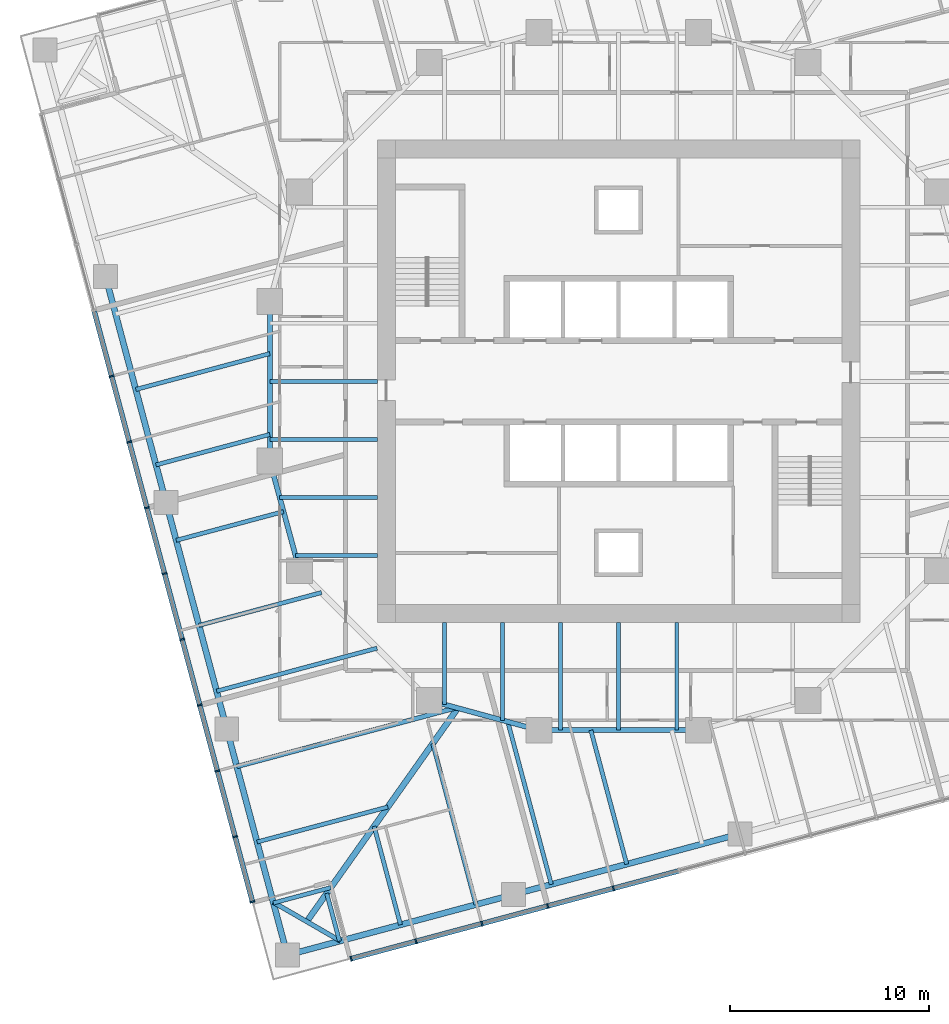
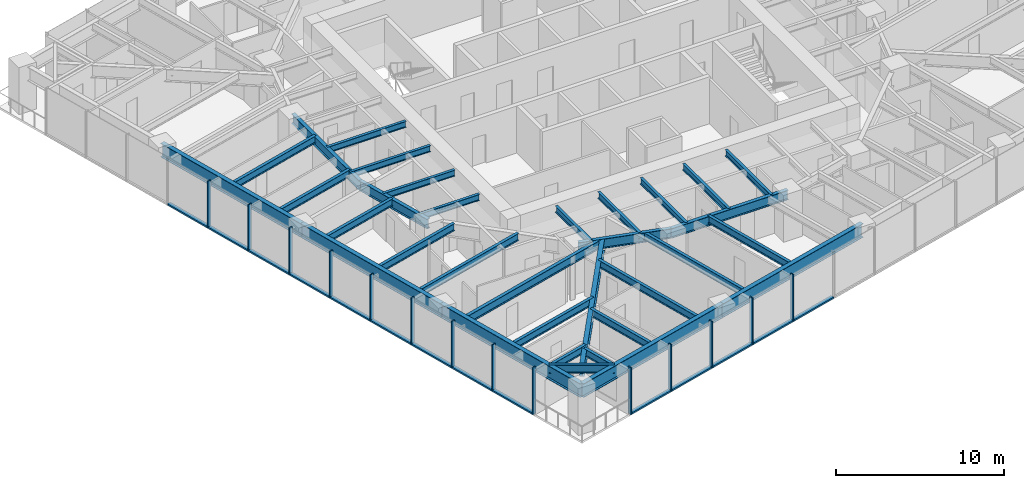
# One storey, part 2 of 14: 33 beams, 28 members, 2 elements without a shape of their own.
"""IFC4 building model written with IfcOpenShell, lengths in metres."""

from ifc_helpers import new_model, si_unit, direction, frame, origin, origin_2d, place, context, subcontext, project, spatial, rectangle, i_section, extrude, material, material_profile, profile_set, type_object, element, aggregate, save


model = new_model("IFC4")

# Units and contexts
model_context = context("Model", 3, precision=1e-05, world=origin(), true_north=direction((0.0, 1.0)))
body_context = subcontext(model_context, "Body", "Model", "MODEL_VIEW")
ifc_project = project(units=[si_unit("LENGTHUNIT", "METRE"), si_unit("AREAUNIT", "SQUARE_METRE"), si_unit("VOLUMEUNIT", "CUBIC_METRE"), si_unit("PLANEANGLEUNIT", "RADIAN"), si_unit("MASSUNIT", "GRAM", prefix="KILO")], contexts=[model_context])

# Site, building, storey
site_placement = place(None, origin())
site = spatial("IfcSite", under=ifc_project, at=site_placement, CompositionType="ELEMENT")
building_placement = place(site_placement, origin())
building = spatial("IfcBuilding", under=site, at=building_placement, Name="Torsade Residences", CompositionType="ELEMENT")
storey_placement = place(building_placement, frame((0.0, 0.0, 111.60009765625)))
storey = spatial("IfcBuildingStorey", under=building, at=storey_placement, Name="L30", CompositionType="ELEMENT", Elevation=111.60009765625)

# Beams
ifc_material_1 = material(Name="Steel grade 300", Category="steel")
ifc_material_profile_1 = material_profile(ifc_material_1, i_section(OverallWidth=0.300048828125, OverallDepth=0.89990234375, WebThickness=0.011962890625, FlangeThickness=0.02490234375, at=origin_2d()), Name="900WB175")
ifc_profile_set_1 = profile_set([ifc_material_profile_1], Name="Steel grade 300")
beam_type_1 = type_object("IfcBeamType", Name="CORNER GIRDER 900WB175", PredefinedType="BEAM", material=ifc_profile_set_1)
beam_1_placement = place(storey_placement, frame((24.355224609375, 2.902587890625, 2.7998046875), z_axis=(0.577683167004, 0.816261084801, 0.0), x_axis=(-0.816261084801, 0.577683167004, 0.0)))
element("IfcBeam", 1, at=beam_1_placement, inside=storey, type_object=beam_type_1, Name="Corner girder 01 L31", PredefinedType="BEAM", context=body_context, shape_type="SweptSolid", body=[
    extrude(i_section(OverallWidth=0.300048828125, OverallDepth=0.89990234375, WebThickness=0.011962890625, FlangeThickness=0.02490234375, at=origin_2d()), origin(), (0.0, 0.0, 1.0), 13.116943359375),
])
ifc_material_2 = material(Name="Steel grade 300", Category="steel")
ifc_material_profile_2 = material_profile(ifc_material_2, i_section(OverallWidth=0.22802734375, OverallDepth=0.60205078125, WebThickness=0.010498046875, FlangeThickness=0.014892578125, FilletRadius=0.013916015625, at=origin_2d()), Name="610UB101")
ifc_profile_set_2 = profile_set([ifc_material_profile_2], Name="Steel grade 300")
beam_type_2 = type_object("IfcBeamType", Name="CORNER TRIMMER 610UB101", PredefinedType="BEAM", material=ifc_profile_set_2)
beam_2_placement = place(storey_placement, frame((26.039306640625, 1.93017578125, 2.948974609375), z_axis=(-0.866028782848, 0.499994147244, 0.0), x_axis=(-0.499994147244, -0.866028782848, 0.0)))
element("IfcBeam", 2, at=beam_2_placement, inside=storey, type_object=beam_type_2, Name="Corner trimmer 01 L31", PredefinedType="BEAM", context=body_context, shape_type="SweptSolid", body=[
    extrude(i_section(OverallWidth=0.22802734375, OverallDepth=0.60205078125, WebThickness=0.010498046875, FlangeThickness=0.014892578125, FilletRadius=0.013916015625, at=origin_2d()), origin(), (0.0, 0.0, 1.0), 3.88916015625),
])
ifc_material_3 = material(Name="Steel grade 300", Category="steel")
ifc_material_profile_3 = material_profile(ifc_material_3, i_section(OverallWidth=0.300048828125, OverallDepth=1.0, WebThickness=0.01611328125, FlangeThickness=0.028076171875, at=origin_2d()), Name="1000WB215")
ifc_profile_set_3 = profile_set([ifc_material_profile_3], Name="Steel grade 300")
beam_type_3 = type_object("IfcBeamType", Name="EDGE BEAM 1000WB215", PredefinedType="SPANDREL", material=ifc_profile_set_3)
for number, where, z_axis, x_axis, name in (
    (3, (23.383056640625, 1.218505859375, 2.75), (0.965928018634, 0.258810863021, 0.0), (-0.258810863021, 0.965928018634, 0.0), "Edge beam 01 L31"),
    (4, (34.732666015625, 4.259521484375, 2.75), (0.965922824118, 0.258830249097, 0.0), (-0.258830249097, 0.965922824118, 0.0), "Edge beam 02 L31"),
    (5, (14.259521484375, 35.267333984375, 2.75), (0.258830249097, -0.965922824118, 0.0), (0.965922824118, 0.258830249097, 0.0), "Edge beam 14 L31"),
    (6, (17.30078125, 23.917724609375, 2.75), (0.258810863021, -0.965928018634, 0.0), (0.965928018634, 0.258810863021, 0.0), "Edge beam 15 L31"),
    (7, (20.341796875, 12.568115234375, 2.75), (0.258830249097, -0.965922824118, 0.0), (0.965922824118, 0.258830249097, 0.0), "Edge beam 16 L31"),
):
    element("IfcBeam", number, at=place(storey_placement, frame(where, z_axis=z_axis, x_axis=x_axis)), inside=storey, type_object=beam_type_3, Name=name, PredefinedType="SPANDREL", context=body_context, shape_type="SweptSolid", body=[
        extrude(i_section(OverallWidth=0.300048828125, OverallDepth=1.0, WebThickness=0.01611328125, FlangeThickness=0.028076171875, at=origin_2d()), origin(), (0.0, 0.0, 1.0), 11.75),
    ])
ifc_material_4 = material(Name="Steel grade 300", Category="steel")
ifc_material_profile_4 = material_profile(ifc_material_4, i_section(OverallWidth=0.18994140625, OverallDepth=0.4541015625, WebThickness=0.008544921875, FlangeThickness=0.0126953125, FilletRadius=0.011474609375, at=origin_2d()), Name="460UB67.1")
ifc_profile_set_4 = profile_set([ifc_material_profile_4], Name="Steel grade 300")
beam_type_4 = type_object("IfcBeamType", Name="INNER FLOOR BEAM 460UB67.1", PredefinedType="JOIST", material=ifc_profile_set_4)
for number, where, z_axis, x_axis, name in (
    (8, (42.91259765625, 17.89990234375, 3.02294921875), (0.0, -1.0, 0.0), (1.0, 0.0, 0.0), "Inner floor beam IS03 L31"),
    (9, (40.0, 17.89990234375, 3.02294921875), (0.0, -1.0, 0.0), (1.0, 0.0, 0.0), "Inner floor beam IS04 L31"),
    (10, (37.08740234375, 17.89990234375, 3.02294921875), (0.0, -1.0, 0.0), (1.0, 0.0, 0.0), "Inner floor beam IS05 L31"),
):
    element("IfcBeam", number, at=place(storey_placement, frame(where, z_axis=z_axis, x_axis=x_axis)), inside=storey, type_object=beam_type_4, Name=name, PredefinedType="JOIST", context=body_context, shape_type="SweptSolid", body=[
        extrude(i_section(OverallWidth=0.18994140625, OverallDepth=0.4541015625, WebThickness=0.008544921875, FlangeThickness=0.0126953125, FilletRadius=0.011474609375, at=origin_2d()), origin(), (0.0, 0.0, 1.0), 5.39990234375),
    ])
beam_3_placement = place(storey_placement, frame((34.175048828125, 17.89990234375, 3.02294921875), z_axis=(0.0, -1.0, 0.0), x_axis=(1.0, 0.0, 0.0)))
element("IfcBeam", 11, at=beam_3_placement, inside=storey, type_object=beam_type_4, Name="Inner floor beam IS06 L31", PredefinedType="JOIST", context=body_context, shape_type="SweptSolid", body=[
    extrude(i_section(OverallWidth=0.18994140625, OverallDepth=0.4541015625, WebThickness=0.008544921875, FlangeThickness=0.0126953125, FilletRadius=0.011474609375, at=origin_2d()), origin(), (0.0, 0.0, 1.0), 4.902099609375),
])
beam_4_placement = place(storey_placement, frame((31.262451171875, 17.89990234375, 3.02294921875), z_axis=(0.0, -1.0, 0.0), x_axis=(1.0, 0.0, 0.0)))
element("IfcBeam", 12, at=beam_4_placement, inside=storey, type_object=beam_type_4, Name="Inner floor beam IS07 L31", PredefinedType="JOIST", context=body_context, shape_type="SweptSolid", body=[
    extrude(i_section(OverallWidth=0.18994140625, OverallDepth=0.4541015625, WebThickness=0.008544921875, FlangeThickness=0.0126953125, FilletRadius=0.011474609375, at=origin_2d()), origin(), (0.0, 0.0, 1.0), 4.10791015625),
])
for number, where, z_axis, x_axis, name in (
    (13, (27.89990234375, 30.0, 3.02294921875), (-1.0, 0.0, 0.0), (0.0, -1.0, 0.0), "Inner floor beam IW04 L31"),
    (14, (27.89990234375, 27.08740234375, 3.02294921875), (-1.0, 0.0, 0.0), (0.0, -1.0, 0.0), "Inner floor beam IW05 L31"),
):
    element("IfcBeam", number, at=place(storey_placement, frame(where, z_axis=z_axis, x_axis=x_axis)), inside=storey, type_object=beam_type_4, Name=name, PredefinedType="JOIST", context=body_context, shape_type="SweptSolid", body=[
        extrude(i_section(OverallWidth=0.18994140625, OverallDepth=0.4541015625, WebThickness=0.008544921875, FlangeThickness=0.0126953125, FilletRadius=0.011474609375, at=origin_2d()), origin(), (0.0, 0.0, 1.0), 5.39990234375),
    ])
beam_5_placement = place(storey_placement, frame((27.89990234375, 24.175048828125, 3.02294921875), z_axis=(-1.0, 0.0, 0.0), x_axis=(0.0, -1.0, 0.0)))
element("IfcBeam", 15, at=beam_5_placement, inside=storey, type_object=beam_type_4, Name="Inner floor beam IW06 L31", PredefinedType="JOIST", context=body_context, shape_type="SweptSolid", body=[
    extrude(i_section(OverallWidth=0.18994140625, OverallDepth=0.4541015625, WebThickness=0.008544921875, FlangeThickness=0.0126953125, FilletRadius=0.011474609375, at=origin_2d()), origin(), (0.0, 0.0, 1.0), 4.902099609375),
])
beam_6_placement = place(storey_placement, frame((27.89990234375, 21.262451171875, 3.02294921875), z_axis=(-1.0, 0.0, 0.0), x_axis=(0.0, -1.0, 0.0)))
element("IfcBeam", 16, at=beam_6_placement, inside=storey, type_object=beam_type_4, Name="Inner floor beam IW07 L31", PredefinedType="JOIST", context=body_context, shape_type="SweptSolid", body=[
    extrude(i_section(OverallWidth=0.18994140625, OverallDepth=0.4541015625, WebThickness=0.008544921875, FlangeThickness=0.0126953125, FilletRadius=0.011474609375, at=origin_2d()), origin(), (0.0, 0.0, 1.0), 4.10791015625),
])

# Curtain wall, members
ifc_material_5 = material(Name="Aluminium and glass", Category="aluminium")
curtain_wall_type = type_object("IfcCurtainWallType", Name="FRITTED GLASS CURTAIN WALL MID ZONE", PredefinedType="NOTDEFINED", material=ifc_material_5)
curtain_wall_1_placement = place(storey_placement, origin())
curtain_wall_1 = element("IfcCurtainWall", 17, at=curtain_wall_1_placement, inside=storey, type_object=curtain_wall_type, Name="Curtain wall L30 face 1", PredefinedType="NOTDEFINED")
ifc_material_6 = material(Name="Aluminium mullion", Category="aluminium")
ifc_material_profile_5 = material_profile(ifc_material_6, rectangle(XDim=0.25, YDim=0.080078125, at=origin_2d()), Name="MID ZONE CURTAIN WALL MULLION 250x80")
ifc_profile_set_5 = profile_set([ifc_material_profile_5], Name="Aluminium mullion")
member_type_1 = type_object("IfcMemberType", Name="MID ZONE CURTAIN WALL MULLION 250x80", PredefinedType="MULLION", material=ifc_profile_set_5)
member_1_placement = place(storey_placement, frame((26.578125, 1.039306640625, 0.0), z_axis=(0.0, 0.0, 1.0), x_axis=(-0.258819047783, 0.965925825571, 0.0)))
member_1 = element("IfcMember", 18, at=member_1_placement, type_object=member_type_1, Name="Mullion 1", PredefinedType="MULLION", context=body_context, shape_type="SweptSolid", body=[
    extrude(rectangle(XDim=0.25, YDim=0.080078125, at=origin_2d()), origin(), (0.0, 0.0, 1.0), 3.39990234375),
])
member_2_placement = place(storey_placement, frame((29.83984375, 1.913330078125, 0.0), z_axis=(0.0, 0.0, 1.0), x_axis=(-0.258819047783, 0.965925825571, 0.0)))
member_2 = element("IfcMember", 19, at=member_2_placement, type_object=member_type_1, Name="Mullion 2", PredefinedType="MULLION", context=body_context, shape_type="SweptSolid", body=[
    extrude(rectangle(XDim=0.25, YDim=0.080078125, at=origin_2d()), origin(), (0.0, 0.0, 1.0), 3.39990234375),
])
member_3_placement = place(storey_placement, frame((33.14013671875, 2.797607421875, 0.0), z_axis=(0.0, 0.0, 1.0), x_axis=(-0.258819047783, 0.965925825571, 0.0)))
member_3 = element("IfcMember", 20, at=member_3_placement, type_object=member_type_1, Name="Mullion 3", PredefinedType="MULLION", context=body_context, shape_type="SweptSolid", body=[
    extrude(rectangle(XDim=0.25, YDim=0.080078125, at=origin_2d()), origin(), (0.0, 0.0, 1.0), 3.39990234375),
])
member_4_placement = place(storey_placement, frame((36.4404296875, 3.681884765625, 0.0), z_axis=(0.0, 0.0, 1.0), x_axis=(-0.258819047783, 0.965925825571, 0.0)))
member_4 = element("IfcMember", 21, at=member_4_placement, type_object=member_type_1, Name="Mullion 4", PredefinedType="MULLION", context=body_context, shape_type="SweptSolid", body=[
    extrude(rectangle(XDim=0.25, YDim=0.080078125, at=origin_2d()), origin(), (0.0, 0.0, 1.0), 3.39990234375),
])
member_5_placement = place(storey_placement, frame((39.740478515625, 4.566162109375, 0.0), z_axis=(0.0, 0.0, 1.0), x_axis=(-0.258819047783, 0.965925825571, 0.0)))
member_5 = element("IfcMember", 22, at=member_5_placement, type_object=member_type_1, Name="Mullion 5", PredefinedType="MULLION", context=body_context, shape_type="SweptSolid", body=[
    extrude(rectangle(XDim=0.25, YDim=0.080078125, at=origin_2d()), origin(), (0.0, 0.0, 1.0), 3.39990234375),
])

curtain_wall_2_placement = place(storey_placement, origin())
curtain_wall_2 = element("IfcCurtainWall", 23, at=curtain_wall_2_placement, inside=storey, type_object=curtain_wall_type, Name="Curtain wall L30 face 10", PredefinedType="NOTDEFINED")
member_6_placement = place(storey_placement, frame((14.566162109375, 30.259521484375, 0.0), z_axis=(0.0, 0.0, 1.0), x_axis=(0.965925825571, 0.258819047783, 0.0)))
member_6 = element("IfcMember", 24, at=member_6_placement, type_object=member_type_1, Name="Mullion 5", PredefinedType="MULLION", context=body_context, shape_type="SweptSolid", body=[
    extrude(rectangle(XDim=0.25, YDim=0.080078125, at=origin_2d()), origin(), (0.0, 0.0, 1.0), 3.39990234375),
])
member_7_placement = place(storey_placement, frame((15.450439453125, 26.959228515625, 0.0), z_axis=(0.0, 0.0, 1.0), x_axis=(0.965925825571, 0.258819047783, 0.0)))
member_7 = element("IfcMember", 25, at=member_7_placement, type_object=member_type_1, Name="Mullion 6", PredefinedType="MULLION", context=body_context, shape_type="SweptSolid", body=[
    extrude(rectangle(XDim=0.25, YDim=0.080078125, at=origin_2d()), origin(), (0.0, 0.0, 1.0), 3.39990234375),
])
member_8_placement = place(storey_placement, frame((16.334716796875, 23.658935546875, 0.0), z_axis=(0.0, 0.0, 1.0), x_axis=(0.965925825571, 0.258819047783, 0.0)))
member_8 = element("IfcMember", 26, at=member_8_placement, type_object=member_type_1, Name="Mullion 7", PredefinedType="MULLION", context=body_context, shape_type="SweptSolid", body=[
    extrude(rectangle(XDim=0.25, YDim=0.080078125, at=origin_2d()), origin(), (0.0, 0.0, 1.0), 3.39990234375),
])
member_9_placement = place(storey_placement, frame((17.218994140625, 20.358642578125, 0.0), z_axis=(0.0, 0.0, 1.0), x_axis=(0.965925825571, 0.258819047783, 0.0)))
member_9 = element("IfcMember", 27, at=member_9_placement, type_object=member_type_1, Name="Mullion 8", PredefinedType="MULLION", context=body_context, shape_type="SweptSolid", body=[
    extrude(rectangle(XDim=0.25, YDim=0.080078125, at=origin_2d()), origin(), (0.0, 0.0, 1.0), 3.39990234375),
])
member_10_placement = place(storey_placement, frame((18.103515625, 17.058349609375, 0.0), z_axis=(0.0, 0.0, 1.0), x_axis=(0.965925825571, 0.258819047783, 0.0)))
member_10 = element("IfcMember", 28, at=member_10_placement, type_object=member_type_1, Name="Mullion 9", PredefinedType="MULLION", context=body_context, shape_type="SweptSolid", body=[
    extrude(rectangle(XDim=0.25, YDim=0.080078125, at=origin_2d()), origin(), (0.0, 0.0, 1.0), 3.39990234375),
])
member_11_placement = place(storey_placement, frame((18.98779296875, 13.75830078125, 0.0), z_axis=(0.0, 0.0, 1.0), x_axis=(0.965925825571, 0.258819047783, 0.0)))
member_11 = element("IfcMember", 29, at=member_11_placement, type_object=member_type_1, Name="Mullion 10", PredefinedType="MULLION", context=body_context, shape_type="SweptSolid", body=[
    extrude(rectangle(XDim=0.25, YDim=0.080078125, at=origin_2d()), origin(), (0.0, 0.0, 1.0), 3.39990234375),
])
member_12_placement = place(storey_placement, frame((19.8720703125, 10.4580078125, 0.0), z_axis=(0.0, 0.0, 1.0), x_axis=(0.965925825571, 0.258819047783, 0.0)))
member_12 = element("IfcMember", 30, at=member_12_placement, type_object=member_type_1, Name="Mullion 11", PredefinedType="MULLION", context=body_context, shape_type="SweptSolid", body=[
    extrude(rectangle(XDim=0.25, YDim=0.080078125, at=origin_2d()), origin(), (0.0, 0.0, 1.0), 3.39990234375),
])
member_13_placement = place(storey_placement, frame((20.75634765625, 7.15771484375, 0.0), z_axis=(0.0, 0.0, 1.0), x_axis=(0.965925825571, 0.258819047783, 0.0)))
member_13 = element("IfcMember", 31, at=member_13_placement, type_object=member_type_1, Name="Mullion 12", PredefinedType="MULLION", context=body_context, shape_type="SweptSolid", body=[
    extrude(rectangle(XDim=0.25, YDim=0.080078125, at=origin_2d()), origin(), (0.0, 0.0, 1.0), 3.39990234375),
])
member_14_placement = place(storey_placement, frame((21.63037109375, 3.89599609375, 0.0), z_axis=(0.0, 0.0, 1.0), x_axis=(0.965925825571, 0.258819047783, 0.0)))
member_14 = element("IfcMember", 32, at=member_14_placement, type_object=member_type_1, Name="Mullion 13", PredefinedType="MULLION", context=body_context, shape_type="SweptSolid", body=[
    extrude(rectangle(XDim=0.25, YDim=0.080078125, at=origin_2d()), origin(), (0.0, 0.0, 1.0), 3.39990234375),
])

# Member
ifc_material_7 = material(Name="Aluminium transom", Category="aluminium")
ifc_material_profile_6 = material_profile(ifc_material_7, rectangle(XDim=0.25, YDim=0.110107421875, at=origin_2d()), Name="MID ZONE CURTAIN WALL TRANSOM 250x110")
ifc_profile_set_6 = profile_set([ifc_material_profile_6], Name="Aluminium transom")
member_type_2 = type_object("IfcMemberType", Name="MID ZONE CURTAIN WALL TRANSOM 250x110", PredefinedType="USERDEFINED", material=ifc_profile_set_6)
member_15_placement = place(storey_placement, frame((26.616943359375, 1.0498046875, 0.054931640625), z_axis=(0.965923258633, 0.258828627534, 0.0), x_axis=(-0.258828627534, 0.965923258633, 0.0)))
member_15 = element("IfcMember", 33, at=member_15_placement, type_object=member_type_2, Name="Transom 1.1", ObjectType="TRANSOM", PredefinedType="USERDEFINED", context=body_context, shape_type="SweptSolid", body=[
    extrude(rectangle(XDim=0.25, YDim=0.110107421875, at=origin_2d()), origin(), (0.0, 0.0, 1.0), 3.296630859375),
])

member_16_placement = place(storey_placement, frame((29.87841796875, 1.923583984375, 0.054931640625), z_axis=(0.965916044226, 0.258855549498, 0.0), x_axis=(-0.258855549498, 0.965916044226, 0.0)))
member_16 = element("IfcMember", 34, at=member_16_placement, type_object=member_type_2, Name="Transom 2.1", ObjectType="TRANSOM", PredefinedType="USERDEFINED", context=body_context, shape_type="SweptSolid", body=[
    extrude(rectangle(XDim=0.25, YDim=0.110107421875, at=origin_2d()), origin(), (0.0, 0.0, 1.0), 3.3369140625),
])

member_17_placement = place(storey_placement, frame((33.1787109375, 2.807861328125, 0.054931640625), z_axis=(0.96591114124, 0.258873844232, 0.0), x_axis=(-0.258873844232, 0.96591114124, 0.0)))
member_17 = element("IfcMember", 35, at=member_17_placement, type_object=member_type_2, Name="Transom 3.1", ObjectType="TRANSOM", PredefinedType="USERDEFINED", context=body_context, shape_type="SweptSolid", body=[
    extrude(rectangle(XDim=0.25, YDim=0.110107421875, at=origin_2d()), origin(), (0.0, 0.0, 1.0), 3.336669921875),
])

member_18_placement = place(storey_placement, frame((36.47900390625, 3.6923828125, 0.054931640625), z_axis=(0.965929435155, 0.258805576255, 0.0), x_axis=(-0.258805576255, 0.965929435155, 0.0)))
member_18 = element("IfcMember", 36, at=member_18_placement, type_object=member_type_2, Name="Transom 4.1", ObjectType="TRANSOM", PredefinedType="USERDEFINED", context=body_context, shape_type="SweptSolid", body=[
    extrude(rectangle(XDim=0.25, YDim=0.110107421875, at=origin_2d()), origin(), (0.0, 0.0, 1.0), 3.336669921875),
])

member_19_placement = place(storey_placement, frame((39.779296875, 4.57666015625, 0.054931640625), z_axis=(0.965929435155, 0.258805576255, 0.0), x_axis=(-0.258805576255, 0.965929435155, 0.0)))
member_19 = element("IfcMember", 37, at=member_19_placement, type_object=member_type_2, Name="Transom 5.1", ObjectType="TRANSOM", PredefinedType="USERDEFINED", context=body_context, shape_type="SweptSolid", body=[
    extrude(rectangle(XDim=0.25, YDim=0.110107421875, at=origin_2d()), origin(), (0.0, 0.0, 1.0), 3.336669921875),
])

aggregate(curtain_wall_1, [member_1, member_2, member_3, member_4, member_5, member_15, member_16, member_17, member_18, member_19])

member_20_placement = place(storey_placement, frame((13.6923828125, 33.52099609375, 0.054931640625), z_axis=(0.258805576255, -0.965929435155, 0.0), x_axis=(0.965929435155, 0.258805576255, 0.0)))
member_20 = element("IfcMember", 38, at=member_20_placement, type_object=member_type_2, Name="Transom 4.1", ObjectType="TRANSOM", PredefinedType="USERDEFINED", context=body_context, shape_type="SweptSolid", body=[
    extrude(rectangle(XDim=0.25, YDim=0.110107421875, at=origin_2d()), origin(), (0.0, 0.0, 1.0), 3.336669921875),
])

member_21_placement = place(storey_placement, frame((14.57666015625, 30.220703125, 0.054931640625), z_axis=(0.258805576255, -0.965929435155, 0.0), x_axis=(0.965929435155, 0.258805576255, 0.0)))
member_21 = element("IfcMember", 39, at=member_21_placement, type_object=member_type_2, Name="Transom 5.1", ObjectType="TRANSOM", PredefinedType="USERDEFINED", context=body_context, shape_type="SweptSolid", body=[
    extrude(rectangle(XDim=0.25, YDim=0.110107421875, at=origin_2d()), origin(), (0.0, 0.0, 1.0), 3.336669921875),
])

member_22_placement = place(storey_placement, frame((15.4609375, 26.920654296875, 0.054931640625), z_axis=(0.258787285653, -0.965934335648, 0.0), x_axis=(0.965934335648, 0.258787285653, 0.0)))
member_22 = element("IfcMember", 40, at=member_22_placement, type_object=member_type_2, Name="Transom 6.1", ObjectType="TRANSOM", PredefinedType="USERDEFINED", context=body_context, shape_type="SweptSolid", body=[
    extrude(rectangle(XDim=0.25, YDim=0.110107421875, at=origin_2d()), origin(), (0.0, 0.0, 1.0), 3.3369140625),
])

member_23_placement = place(storey_placement, frame((16.34521484375, 23.620361328125, 0.054931640625), z_axis=(0.258787285653, -0.965934335648, 0.0), x_axis=(0.965934335648, 0.258787285653, 0.0)))
member_23 = element("IfcMember", 41, at=member_23_placement, type_object=member_type_2, Name="Transom 7.1", ObjectType="TRANSOM", PredefinedType="USERDEFINED", context=body_context, shape_type="SweptSolid", body=[
    extrude(rectangle(XDim=0.25, YDim=0.110107421875, at=origin_2d()), origin(), (0.0, 0.0, 1.0), 3.3369140625),
])

member_24_placement = place(storey_placement, frame((17.2294921875, 20.320068359375, 0.054931640625), z_axis=(0.258805576255, -0.965929435155, 0.0), x_axis=(0.965929435155, 0.258805576255, 0.0)))
member_24 = element("IfcMember", 42, at=member_24_placement, type_object=member_type_2, Name="Transom 8.1", ObjectType="TRANSOM", PredefinedType="USERDEFINED", context=body_context, shape_type="SweptSolid", body=[
    extrude(rectangle(XDim=0.25, YDim=0.110107421875, at=origin_2d()), origin(), (0.0, 0.0, 1.0), 3.336669921875),
])

member_25_placement = place(storey_placement, frame((18.11376953125, 17.019775390625, 0.054931640625), z_axis=(0.258805576255, -0.965929435155, 0.0), x_axis=(0.965929435155, 0.258805576255, 0.0)))
member_25 = element("IfcMember", 43, at=member_25_placement, type_object=member_type_2, Name="Transom 9.1", ObjectType="TRANSOM", PredefinedType="USERDEFINED", context=body_context, shape_type="SweptSolid", body=[
    extrude(rectangle(XDim=0.25, YDim=0.110107421875, at=origin_2d()), origin(), (0.0, 0.0, 1.0), 3.336669921875),
])

member_26_placement = place(storey_placement, frame((18.998046875, 13.719482421875, 0.054931640625), z_axis=(0.258805576255, -0.965929435155, 0.0), x_axis=(0.965929435155, 0.258805576255, 0.0)))
member_26 = element("IfcMember", 44, at=member_26_placement, type_object=member_type_2, Name="Transom 10.1", ObjectType="TRANSOM", PredefinedType="USERDEFINED", context=body_context, shape_type="SweptSolid", body=[
    extrude(rectangle(XDim=0.25, YDim=0.110107421875, at=origin_2d()), origin(), (0.0, 0.0, 1.0), 3.336669921875),
])

member_27_placement = place(storey_placement, frame((19.88232421875, 10.419189453125, 0.054931640625), z_axis=(0.258805576255, -0.965929435155, 0.0), x_axis=(0.965929435155, 0.258805576255, 0.0)))
member_27 = element("IfcMember", 45, at=member_27_placement, type_object=member_type_2, Name="Transom 11.1", ObjectType="TRANSOM", PredefinedType="USERDEFINED", context=body_context, shape_type="SweptSolid", body=[
    extrude(rectangle(XDim=0.25, YDim=0.110107421875, at=origin_2d()), origin(), (0.0, 0.0, 1.0), 3.336669921875),
])

member_28_placement = place(storey_placement, frame((20.7666015625, 7.119140625, 0.054931640625), z_axis=(0.258828627534, -0.965923258633, 0.0), x_axis=(0.965923258633, 0.258828627534, 0.0)))
member_28 = element("IfcMember", 46, at=member_28_placement, type_object=member_type_2, Name="Transom 12.1", ObjectType="TRANSOM", PredefinedType="USERDEFINED", context=body_context, shape_type="SweptSolid", body=[
    extrude(rectangle(XDim=0.25, YDim=0.110107421875, at=origin_2d()), origin(), (0.0, 0.0, 1.0), 3.296630859375),
])

aggregate(curtain_wall_2, [member_6, member_7, member_8, member_9, member_10, member_11, member_12, member_13, member_14, member_20, member_21, member_22, member_23, member_24, member_25, member_26, member_27, member_28])

# Beams
ifc_material_8 = material(Name="Steel grade 300", Category="steel")
ifc_material_profile_7 = material_profile(ifc_material_8, i_section(OverallWidth=0.25, OverallDepth=0.699951171875, WebThickness=0.010009765625, FlangeThickness=0.02001953125, at=origin_2d()), Name="700WB130")
ifc_profile_set_7 = profile_set([ifc_material_profile_7], Name="Steel grade 300")
beam_type_5 = type_object("IfcBeamType", Name="RING GIRDER 700WB130", PredefinedType="BEAM", material=ifc_profile_set_7)
beam_7_placement = place(storey_placement, frame((22.5, 34.0, 2.89990234375), z_axis=(0.0, -1.0, 0.0), x_axis=(1.0, 0.0, 0.0)))
element("IfcBeam", 47, at=beam_7_placement, inside=storey, type_object=beam_type_5, Name="Ring girder IR09 L31", PredefinedType="BEAM", context=body_context, shape_type="SweptSolid", body=[
    extrude(i_section(OverallWidth=0.25, OverallDepth=0.699951171875, WebThickness=0.010009765625, FlangeThickness=0.02001953125, at=origin_2d()), origin(), (0.0, 0.0, 1.0), 8.0),
])
for number, where, z_axis, x_axis, name in (
    (48, (22.5, 26.0, 2.89990234375), (0.263117405792, -0.964763821238, 0.0), (0.964763821238, 0.263117405792, 0.0), "Ring girder IR10 L31"),
    (49, (30.5, 14.0, 2.89990234375), (0.964763821238, -0.263117405792, 0.0), (0.263117405792, 0.964763821238, 0.0), "Ring girder IR12 L31"),
):
    element("IfcBeam", number, at=place(storey_placement, frame(where, z_axis=z_axis, x_axis=x_axis)), inside=storey, type_object=beam_type_5, Name=name, PredefinedType="BEAM", context=body_context, shape_type="SweptSolid", body=[
        extrude(i_section(OverallWidth=0.25, OverallDepth=0.699951171875, WebThickness=0.010009765625, FlangeThickness=0.02001953125, at=origin_2d()), origin(), (0.0, 0.0, 1.0), 5.700927734375),
    ])
beam_8_placement = place(storey_placement, frame((36.0, 12.5, 2.89990234375), z_axis=(1.0, 0.0, 0.0), x_axis=(0.0, 1.0, 0.0)))
element("IfcBeam", 50, at=beam_8_placement, inside=storey, type_object=beam_type_5, Name="Ring girder IR13 L31", PredefinedType="BEAM", context=body_context, shape_type="SweptSolid", body=[
    extrude(i_section(OverallWidth=0.25, OverallDepth=0.699951171875, WebThickness=0.010009765625, FlangeThickness=0.02001953125, at=origin_2d()), origin(), (0.0, 0.0, 1.0), 8.0),
])
ifc_material_9 = material(Name="Steel grade 300", Category="steel")
ifc_material_profile_8 = material_profile(ifc_material_9, i_section(OverallWidth=0.208984375, OverallDepth=0.528076171875, WebThickness=0.009521484375, FlangeThickness=0.01318359375, FilletRadius=0.013916015625, at=origin_2d()), Name="530UB82.0")
ifc_profile_set_8 = profile_set([ifc_material_profile_8], Name="Steel grade 300")
beam_type_6 = type_object("IfcBeamType", Name="SECONDARY BEAM 530UB82.0", PredefinedType="JOIST", material=ifc_profile_set_8)
beam_9_placement = place(storey_placement, frame((25.9990234375, 1.91943359375, 2.98583984375), z_axis=(-0.258837674225, 0.965920834438, 0.0), x_axis=(-0.965920834438, -0.258837674225, 0.0)))
element("IfcBeam", 51, at=beam_9_placement, inside=storey, type_object=beam_type_6, Name="Floor beam FS01 L31", PredefinedType="JOIST", context=body_context, shape_type="SweptSolid", body=[
    extrude(i_section(OverallWidth=0.208984375, OverallDepth=0.528076171875, WebThickness=0.009521484375, FlangeThickness=0.01318359375, FilletRadius=0.013916015625, at=origin_2d()), origin(), (0.0, 0.0, 1.0), 2.482666015625),
])
beam_10_placement = place(storey_placement, frame((29.057861328125, 2.739013671875, 2.98583984375), z_axis=(-0.258815647274, 0.965926736728, 0.0), x_axis=(-0.965926736728, -0.258815647274, 0.0)))
element("IfcBeam", 52, at=beam_10_placement, inside=storey, type_object=beam_type_6, Name="Floor beam FS02 L31", PredefinedType="JOIST", context=body_context, shape_type="SweptSolid", body=[
    extrude(i_section(OverallWidth=0.208984375, OverallDepth=0.528076171875, WebThickness=0.009521484375, FlangeThickness=0.01318359375, FilletRadius=0.013916015625, at=origin_2d()), origin(), (0.0, 0.0, 1.0), 5.11279296875),
])
beam_11_placement = place(storey_placement, frame((32.841064453125, 3.752685546875, 2.98583984375), z_axis=(-0.258823120582, 0.965924734258, 0.0), x_axis=(-0.965924734258, -0.258823120582, 0.0)))
element("IfcBeam", 53, at=beam_11_placement, inside=storey, type_object=beam_type_6, Name="Floor beam FS03 L31", PredefinedType="JOIST", context=body_context, shape_type="SweptSolid", body=[
    extrude(i_section(OverallWidth=0.208984375, OverallDepth=0.528076171875, WebThickness=0.009521484375, FlangeThickness=0.01318359375, FilletRadius=0.013916015625, at=origin_2d()), origin(), (0.0, 0.0, 1.0), 8.365966796875),
])
beam_12_placement = place(storey_placement, frame((36.624267578125, 4.766357421875, 2.98583984375), z_axis=(-0.258808315464, 0.965928701223, 0.0), x_axis=(-0.965928701223, -0.258808315464, 0.0)))
element("IfcBeam", 54, at=beam_12_placement, inside=storey, type_object=beam_type_6, Name="Floor beam FS04 L31", PredefinedType="JOIST", context=body_context, shape_type="SweptSolid", body=[
    extrude(i_section(OverallWidth=0.208984375, OverallDepth=0.528076171875, WebThickness=0.009521484375, FlangeThickness=0.01318359375, FilletRadius=0.013916015625, at=origin_2d()), origin(), (0.0, 0.0, 1.0), 8.447509765625),
])
for number, where, z_axis, x_axis, name in (
    (55, (40.407470703125, 5.7802734375, 2.98583984375), (-0.258817945835, 0.965926120836, 0.0), (-0.965926120836, -0.258817945835, 0.0), "Floor beam FS05 L31"),
    (56, (15.7802734375, 29.592529296875, 2.98583984375), (0.965926120836, 0.258817945835, 0.0), (-0.258817945835, 0.965926120836, 0.0), "Floor beam FW05 L31"),
):
    element("IfcBeam", number, at=place(storey_placement, frame(where, z_axis=z_axis, x_axis=x_axis)), inside=storey, type_object=beam_type_6, Name=name, PredefinedType="JOIST", context=body_context, shape_type="SweptSolid", body=[
        extrude(i_section(OverallWidth=0.208984375, OverallDepth=0.528076171875, WebThickness=0.009521484375, FlangeThickness=0.01318359375, FilletRadius=0.013916015625, at=origin_2d()), origin(), (0.0, 0.0, 1.0), 6.956787109375),
    ])
beam_13_placement = place(storey_placement, frame((16.7939453125, 25.809326171875, 2.98583984375), z_axis=(0.965920748174, 0.258837996141, 0.0), x_axis=(-0.258837996141, 0.965920748174, 0.0)))
element("IfcBeam", 57, at=beam_13_placement, inside=storey, type_object=beam_type_6, Name="Floor beam FW06 L31", PredefinedType="JOIST", context=body_context, shape_type="SweptSolid", body=[
    extrude(i_section(OverallWidth=0.208984375, OverallDepth=0.528076171875, WebThickness=0.009521484375, FlangeThickness=0.01318359375, FilletRadius=0.013916015625, at=origin_2d()), origin(), (0.0, 0.0, 1.0), 5.907470703125),
])
beam_14_placement = place(storey_placement, frame((17.8076171875, 22.026123046875, 2.98583984375), z_axis=(0.965923020144, 0.258829517553, 0.0), x_axis=(-0.258829517553, 0.965923020144, 0.0)))
element("IfcBeam", 58, at=beam_14_placement, inside=storey, type_object=beam_type_6, Name="Floor beam FW07 L31", PredefinedType="JOIST", context=body_context, shape_type="SweptSolid", body=[
    extrude(i_section(OverallWidth=0.208984375, OverallDepth=0.528076171875, WebThickness=0.009521484375, FlangeThickness=0.01318359375, FilletRadius=0.013916015625, at=origin_2d()), origin(), (0.0, 0.0, 1.0), 5.57275390625),
])
beam_15_placement = place(storey_placement, frame((18.95068359375, 17.760009765625, 2.98583984375), z_axis=(0.965929717932, 0.258804520856, 0.0), x_axis=(-0.258804520856, 0.965929717932, 0.0)))
element("IfcBeam", 59, at=beam_15_placement, inside=storey, type_object=beam_type_6, Name="Floor beam FW08 L31", PredefinedType="JOIST", context=body_context, shape_type="SweptSolid", body=[
    extrude(i_section(OverallWidth=0.208984375, OverallDepth=0.528076171875, WebThickness=0.009521484375, FlangeThickness=0.01318359375, FilletRadius=0.013916015625, at=origin_2d()), origin(), (0.0, 0.0, 1.0), 6.360107421875),
])
beam_16_placement = place(storey_placement, frame((19.8349609375, 14.459716796875, 2.98583984375), z_axis=(0.96592202475, 0.258833232221, 0.0), x_axis=(-0.258833232221, 0.96592202475, 0.0)))
element("IfcBeam", 60, at=beam_16_placement, inside=storey, type_object=beam_type_6, Name="Floor beam FW09 L31", PredefinedType="JOIST", context=body_context, shape_type="SweptSolid", body=[
    extrude(i_section(OverallWidth=0.208984375, OverallDepth=0.528076171875, WebThickness=0.009521484375, FlangeThickness=0.01318359375, FilletRadius=0.013916015625, at=origin_2d()), origin(), (0.0, 0.0, 1.0), 8.33251953125),
])
beam_17_placement = place(storey_placement, frame((21.862548828125, 6.893310546875, 2.98583984375), z_axis=(0.965927035229, 0.258814533235, 0.0), x_axis=(-0.258814533235, 0.965927035229, 0.0)))
element("IfcBeam", 61, at=beam_17_placement, inside=storey, type_object=beam_type_6, Name="Floor beam FW11 L31", PredefinedType="JOIST", context=body_context, shape_type="SweptSolid", body=[
    extrude(i_section(OverallWidth=0.208984375, OverallDepth=0.528076171875, WebThickness=0.009521484375, FlangeThickness=0.01318359375, FilletRadius=0.013916015625, at=origin_2d()), origin(), (0.0, 0.0, 1.0), 6.792724609375),
])
beam_18_placement = place(storey_placement, frame((22.68212890625, 3.83447265625, 2.98583984375), z_axis=(0.965913310475, 0.258865750242, 0.0), x_axis=(-0.258865750242, 0.965913310475, 0.0)))
element("IfcBeam", 62, at=beam_18_placement, inside=storey, type_object=beam_type_6, Name="Floor beam FW12 L31", PredefinedType="JOIST", context=body_context, shape_type="SweptSolid", body=[
    extrude(i_section(OverallWidth=0.208984375, OverallDepth=0.528076171875, WebThickness=0.009521484375, FlangeThickness=0.01318359375, FilletRadius=0.013916015625, at=origin_2d()), origin(), (0.0, 0.0, 1.0), 2.980224609375),
])
ifc_material_10 = material(Name="Steel grade 300", Category="steel")
ifc_material_profile_9 = material_profile(ifc_material_10, i_section(OverallWidth=0.22900390625, OverallDepth=0.612060546875, WebThickness=0.011962890625, FlangeThickness=0.01953125, FilletRadius=0.013916015625, at=origin_2d()), Name="610UB125")
ifc_profile_set_9 = profile_set([ifc_material_profile_9], Name="Steel grade 300")
beam_type_7 = type_object("IfcBeamType", Name="SECONDARY BEAM 610UB125", PredefinedType="JOIST", material=ifc_profile_set_9)
beam_19_placement = place(storey_placement, frame((20.8486328125, 10.676513671875, 2.94384765625), z_axis=(0.965929035417, 0.258807068179, 0.0), x_axis=(-0.258807068179, 0.965929035417, 0.0)))
element("IfcBeam", 63, at=beam_19_placement, inside=storey, type_object=beam_type_7, Name="Floor beam FW10 L31", PredefinedType="JOIST", context=body_context, shape_type="SweptSolid", body=[
    extrude(i_section(OverallWidth=0.22900390625, OverallDepth=0.612060546875, WebThickness=0.011962890625, FlangeThickness=0.01953125, FilletRadius=0.013916015625, at=origin_2d()), origin(), (0.0, 0.0, 1.0), 11.40380859375),
])

save(model, "model.ifc")
